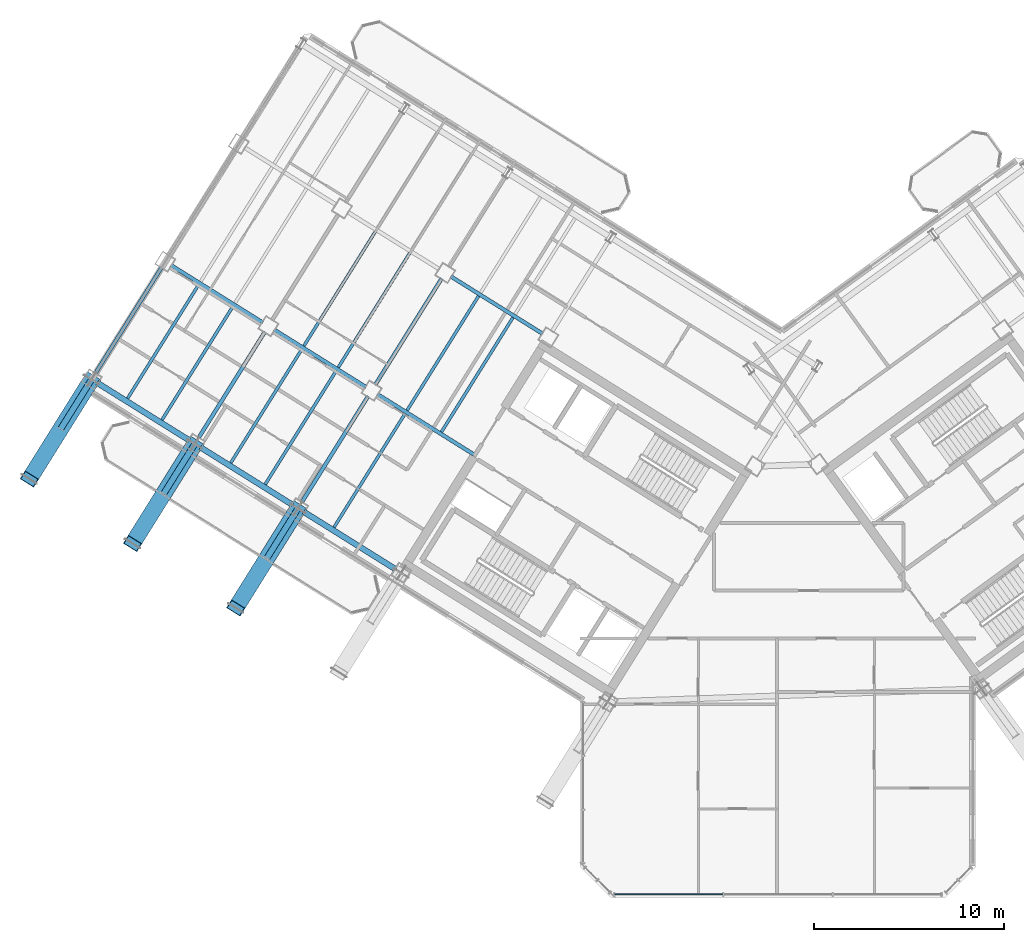
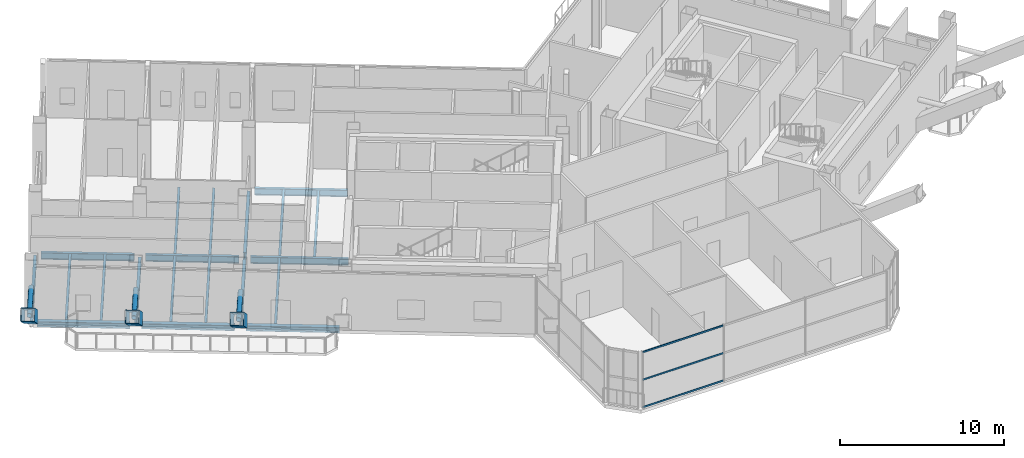
# One storey, part 8 of 34: 20 beams, 9 members, 1 element without a shape of its own.
"""IFC4 building model written with IfcOpenShell, lengths in metres."""

from ifc_helpers import new_model, si_unit, direction, frame, origin, origin_2d, place, context, subcontext, project, spatial, hollow_rectangle, hollow_circle, i_section, extrude, source, transform, mapped, material, material_profile, profile_set, type_object, element, aggregate, save


model = new_model("IFC4")

# Units and contexts
model_context = context("Model", 3, precision=1e-05, world=origin(), true_north=direction((0.0, 1.0)))
body_context = subcontext(model_context, "Body", "Model", "MODEL_VIEW")
ifc_project = project(units=[si_unit("LENGTHUNIT", "METRE"), si_unit("AREAUNIT", "SQUARE_METRE"), si_unit("VOLUMEUNIT", "CUBIC_METRE"), si_unit("PLANEANGLEUNIT", "RADIAN"), si_unit("MASSUNIT", "GRAM", prefix="KILO")], contexts=[model_context])

# Site, building, storey
site_placement = place(None, origin())
site = spatial("IfcSite", under=ifc_project, at=site_placement, CompositionType="ELEMENT")
building_placement = place(site_placement, origin())
building = spatial("IfcBuilding", under=site, at=building_placement, Name="Tlacorven Tower", CompositionType="ELEMENT")
storey_placement = place(building_placement, frame((0.0, 0.0, 229.199951171875)))
storey = spatial("IfcBuildingStorey", under=building, at=storey_placement, Name="L58", CompositionType="ELEMENT", Elevation=229.199951171875)

# Members
ifc_material_1 = material(Name="Steel S460M", Category="steel")
ifc_material_profile_1 = material_profile(ifc_material_1, hollow_rectangle(XDim=0.85009765625, YDim=0.85009765625, WallThickness=0.0400390625, at=origin_2d()), Name="BOX 850X850X40")
ifc_profile_set_1 = profile_set([ifc_material_profile_1], Name="Steel S460M")
member_type_1 = type_object("IfcMemberType", Name="MB-RAK-EXT", PredefinedType="STRUT", material=ifc_profile_set_1)
shared_shape_1 = source(origin(), body_context, "Body", "SweptSolid", [
    extrude(hollow_rectangle(XDim=0.85009765625, YDim=0.85009765625, WallThickness=0.0400390625, at=origin_2d()), origin(), (0.0, 0.0, 1.0), 7.62109375),
])
for number, where, z_axis, x_axis, name in (
    (1, (16.755126953125, 22.24755859375, 0.01171875), (-0.428883381326, -0.686315921835, 0.587392118314), (0.848033882642, -0.529942009933, 0.0), "L58 Block-Shift Raking Transfer Strut W4"),
    (2, (11.32763671875, 25.63916015625, 0.01171875), (-0.428883381326, -0.686315921835, 0.587392118314), (0.848033882642, -0.529942009933, 0.0), "L58 Block-Shift Raking Transfer Strut W5"),
    (3, (5.89990234375, 29.030517578125, 0.01171875), (-0.428857238409, -0.686325351137, 0.587400188501), (0.848051671646, -0.529913542211, 0.0), "L58 Block-Shift Raking Transfer Strut W6"),
):
    element("IfcMember", number, at=place(storey_placement, frame(where, z_axis=z_axis, x_axis=x_axis)), inside=storey, type_object=member_type_1, Name=name, PredefinedType="STRUT", context=body_context, shape_type="MappedRepresentation", body=[
        mapped(shared_shape_1, transform((0.0, 0.0, 0.0), scale=1.0)),
    ])
ifc_material_profile_2 = material_profile(ifc_material_1, hollow_circle(Radius=0.161865234375, WallThickness=0.01611328125, at=origin_2d()), Name="CHS 323.9X16")
ifc_profile_set_2 = profile_set([ifc_material_profile_2], Name="Steel S460M")
member_type_2 = type_object("IfcMemberType", Name="MB-SHF-BRC", PredefinedType="BRACE", material=ifc_profile_set_2)
shared_shape_2 = source(origin(), body_context, "Body", "SweptSolid", [
    extrude(hollow_circle(Radius=0.161865234375, WallThickness=0.01611328125, at=origin_2d()), origin(), (0.0, 0.0, 1.0), 3.06005859375),
])
for number, where, z_axis, x_axis, name in (
    (4, (16.7529296875, 22.244384765625, 2.25), (-0.529934393004, -0.848038642463, 0.0), (0.848038642463, -0.529934393004, 0.0), "L58 Raking Strut Stabilising Web Brace W4"),
    (5, (11.325439453125, 25.6357421875, 2.25), (-0.529934393004, -0.848038642463, 0.0), (0.848038642463, -0.529934393004, 0.0), "L58 Raking Strut Stabilising Web Brace W5"),
    (6, (5.89794921875, 29.02734375, 2.25), (-0.529934393004, -0.848038642463, 0.0), (0.848038642463, -0.529934393004, 0.0), "L58 Raking Strut Stabilising Web Brace W6"),
):
    element("IfcMember", number, at=place(storey_placement, frame(where, z_axis=z_axis, x_axis=x_axis)), inside=storey, type_object=member_type_2, Name=name, PredefinedType="BRACE", context=body_context, shape_type="MappedRepresentation", body=[
        mapped(shared_shape_2, transform((0.0, 0.0, 0.0), scale=1.0)),
    ])

# Beams
ifc_material_2 = material(Name="Steel S355J2", Category="steel")
ifc_material_profile_3 = material_profile(ifc_material_2, i_section(OverallWidth=0.199951171875, OverallDepth=0.5, WebThickness=0.01025390625, FlangeThickness=0.01611328125, at=origin_2d()), Name="IPE 500")
ifc_profile_set_3 = profile_set([ifc_material_profile_3], Name="Steel S355J2")
beam_type_1 = type_object("IfcBeamType", Name="BM-TWR-500", PredefinedType="BEAM", material=ifc_profile_set_3)
shared_shape_3 = source(origin(), body_context, "Body", "SweptSolid", [
    extrude(i_section(OverallWidth=0.199951171875, OverallDepth=0.5, WebThickness=0.01025390625, FlangeThickness=0.01611328125, at=origin_2d()), origin(), (0.0, 0.0, 1.0), 6.010009765625),
])
beam_1_placement = place(storey_placement, frame((26.025634765625, 25.081787109375, -0.5), z_axis=(-0.848043944584, 0.529925908081, 0.0), x_axis=(-0.529925908081, -0.848043944584, 0.0)))
element("IfcBeam", 7, at=beam_1_placement, inside=storey, type_object=beam_type_1, Name="L58 beam BM-L58-WL3-3", PredefinedType="BEAM", context=body_context, shape_type="MappedRepresentation", body=[
    mapped(shared_shape_3, transform((0.0, 0.0, 0.0), scale=1.0)),
])
shared_shape_4 = source(origin(), body_context, "Body", "SweptSolid", [
    extrude(i_section(OverallWidth=0.199951171875, OverallDepth=0.5, WebThickness=0.01025390625, FlangeThickness=0.01611328125, at=origin_2d()), origin(), (0.0, 0.0, 1.0), 5.7001953125),
])
for number, where, z_axis, x_axis, name in (
    (8, (20.335205078125, 28.637451171875, -0.5), (-0.848036800771, 0.529937340199, 0.0), (-0.529937340199, -0.848036800771, 0.0), "L58 beam BM-L58-WL3-4"),
    (9, (14.90771484375, 32.029052734375, -0.5), (-0.848056048787, 0.529906537151, 0.0), (-0.529906537151, -0.848056048787, 0.0), "L58 beam BM-L58-WL3-5"),
):
    element("IfcBeam", number, at=place(storey_placement, frame(where, z_axis=z_axis, x_axis=x_axis)), inside=storey, type_object=beam_type_1, Name=name, PredefinedType="BEAM", context=body_context, shape_type="MappedRepresentation", body=[
        mapped(shared_shape_4, transform((0.0, 0.0, 0.0), scale=1.0)),
    ])
shared_shape_5 = source(origin(), body_context, "Body", "SweptSolid", [
    extrude(i_section(OverallWidth=0.199951171875, OverallDepth=0.5, WebThickness=0.01025390625, FlangeThickness=0.01611328125, at=origin_2d()), origin(), (0.0, 0.0, 1.0), 5.699951171875),
])
beam_2_placement = place(storey_placement, frame((29.631103515625, 31.436767578125, -0.5), z_axis=(-0.848044021115, 0.529925785607, 0.0), x_axis=(-0.529925785607, -0.848044021115, 0.0)))
element("IfcBeam", 10, at=beam_2_placement, inside=storey, type_object=beam_type_1, Name="L58 beam BM-L58-WL2-3", PredefinedType="BEAM", context=body_context, shape_type="MappedRepresentation", body=[
    mapped(shared_shape_5, transform((0.0, 0.0, 0.0), scale=1.0)),
])
shared_shape_6 = source(origin(), body_context, "Body", "SweptSolid", [
    extrude(i_section(OverallWidth=0.199951171875, OverallDepth=0.5, WebThickness=0.01025390625, FlangeThickness=0.01611328125, at=origin_2d()), origin(), (0.0, 0.0, 1.0), 6.599853515625),
])
beam_3_placement = place(storey_placement, frame((24.31494140625, 34.345947265625, -0.5), z_axis=(-0.529942412256, -0.848033631227, 0.0), x_axis=(0.848033631227, -0.529942412256, 0.0)))
element("IfcBeam", 11, at=beam_3_placement, inside=storey, type_object=beam_type_1, Name="L58 beam BM-L58-WT4-2", PredefinedType="BEAM", context=body_context, shape_type="MappedRepresentation", body=[
    mapped(shared_shape_6, transform((0.0, 0.0, 0.0), scale=1.0)),
])
shared_shape_7 = source(origin(), body_context, "Body", "SweptSolid", [
    extrude(i_section(OverallWidth=0.199951171875, OverallDepth=0.5, WebThickness=0.01025390625, FlangeThickness=0.01611328125, at=origin_2d()), origin(), (0.0, 0.0, 1.0), 6.60009765625),
])
for number, where, z_axis, x_axis, name in (
    (12, (20.446533203125, 28.1552734375, -0.5), (-0.529925788294, -0.848044019436, 0.0), (0.848044019436, -0.529925788294, 0.0), "L58 beam BM-L58-WT4-3"),
    (13, (15.01904296875, 31.546875, -0.5), (-0.529925788294, -0.848044019436, 0.0), (0.848044019436, -0.529925788294, 0.0), "L58 beam BM-L58-WT5-3"),
    (14, (9.591552734375, 34.938232421875, -0.5), (-0.529925788294, -0.848044019436, 0.0), (0.848044019436, -0.529925788294, 0.0), "L58 beam BM-L58-WT6-3"),
):
    element("IfcBeam", number, at=place(storey_placement, frame(where, z_axis=z_axis, x_axis=x_axis)), inside=storey, type_object=beam_type_1, Name=name, PredefinedType="BEAM", context=body_context, shape_type="MappedRepresentation", body=[
        mapped(shared_shape_7, transform((0.0, 0.0, 0.0), scale=1.0)),
    ])
ifc_material_profile_4 = material_profile(ifc_material_2, i_section(OverallWidth=0.159912109375, OverallDepth=0.330078125, WebThickness=0.007568359375, FlangeThickness=0.011474609375, at=origin_2d()), Name="IPE 330")
ifc_profile_set_4 = profile_set([ifc_material_profile_4], Name="Steel S355J2")
beam_type_2 = type_object("IfcBeamType", Name="BM-JST-330", PredefinedType="JOIST", material=ifc_profile_set_4)
shared_shape_8 = source(origin(), body_context, "Body", "SweptSolid", [
    extrude(i_section(OverallWidth=0.159912109375, OverallDepth=0.330078125, WebThickness=0.007568359375, FlangeThickness=0.011474609375, at=origin_2d()), origin(), (0.0, 0.0, 1.0), 7.0400390625),
])
for number, where, z_axis, x_axis, name in (
    (15, (18.767333984375, 29.493408203125, -0.4150390625), (-0.529930359501, -0.848041162963, 0.0), (0.848041162963, -0.529930359501, 0.0), "L58 beam BM-L58-WJ4-3-1"),
    (16, (16.9580078125, 30.6240234375, -0.4150390625), (-0.529930359501, -0.848041162963, 0.0), (0.848041162963, -0.529930359501, 0.0), "L58 beam BM-L58-WJ4-3-2"),
    (17, (13.33984375, 32.885009765625, -0.4150390625), (-0.529930359501, -0.848041162963, 0.0), (0.848041162963, -0.529930359501, 0.0), "L58 beam BM-L58-WJ5-3-1"),
):
    element("IfcBeam", number, at=place(storey_placement, frame(where, z_axis=z_axis, x_axis=x_axis)), inside=storey, type_object=beam_type_2, Name=name, PredefinedType="JOIST", context=body_context, shape_type="MappedRepresentation", body=[
        mapped(shared_shape_8, transform((0.0, 0.0, 0.0), scale=1.0)),
    ])
shared_shape_9 = source(origin(), body_context, "Body", "SweptSolid", [
    extrude(i_section(OverallWidth=0.159912109375, OverallDepth=0.330078125, WebThickness=0.007568359375, FlangeThickness=0.011474609375, at=origin_2d()), origin(), (0.0, 0.0, 1.0), 7.090087890625),
])
for number, where, z_axis, x_axis, name in (
    (18, (28.063232421875, 32.292724609375, -0.4150390625), (-0.529912270669, -0.84805246618, 0.0), (0.84805246618, -0.529912270669, 0.0), "L58 beam BM-L58-WJ3-2-1"),
    (19, (26.25390625, 33.42333984375, -0.4150390625), (-0.529912270669, -0.84805246618, 0.0), (0.84805246618, -0.529912270669, 0.0), "L58 beam BM-L58-WJ3-2-2"),
    (20, (22.6357421875, 35.684326171875, -0.4150390625), (-0.529937035031, -0.848036991471, 0.0), (0.848036991471, -0.529937035031, 0.0), "L58 beam BM-L58-WJ4-2-1"),
):
    element("IfcBeam", number, at=place(storey_placement, frame(where, z_axis=z_axis, x_axis=x_axis)), inside=storey, type_object=beam_type_2, Name=name, PredefinedType="JOIST", context=body_context, shape_type="MappedRepresentation", body=[
        mapped(shared_shape_9, transform((0.0, 0.0, 0.0), scale=1.0)),
    ])
shared_shape_10 = source(origin(), body_context, "Body", "SweptSolid", [
    extrude(i_section(OverallWidth=0.159912109375, OverallDepth=0.330078125, WebThickness=0.007568359375, FlangeThickness=0.011474609375, at=origin_2d()), origin(), (0.0, 0.0, 1.0), 7.08984375),
])
beam_4_placement = place(storey_placement, frame((20.826416015625, 36.814697265625, -0.4150390625), z_axis=(-0.529927745663, -0.848042796312, 0.0), x_axis=(0.848042796312, -0.529927745663, 0.0)))
element("IfcBeam", 21, at=beam_4_placement, inside=storey, type_object=beam_type_2, Name="L58 beam BM-L58-WJ4-2-2", PredefinedType="JOIST", context=body_context, shape_type="MappedRepresentation", body=[
    mapped(shared_shape_10, transform((0.0, 0.0, 0.0), scale=1.0)),
])
shared_shape_11 = source(origin(), body_context, "Body", "SweptSolid", [
    extrude(i_section(OverallWidth=0.159912109375, OverallDepth=0.330078125, WebThickness=0.007568359375, FlangeThickness=0.011474609375, at=origin_2d()), origin(), (0.0, 0.0, 1.0), 7.040283203125),
])
for number, where, z_axis, x_axis, name in (
    (22, (22.385498046875, 27.232666015625, -0.4150390625), (-0.529914775015, -0.848050901315, 0.0), (0.848050901315, -0.529914775015, 0.0), "L58 beam BM-L58-WJ3-3-2"),
    (23, (11.530517578125, 34.015625, -0.4150390625), (-0.529914775015, -0.848050901315, 0.0), (0.848050901315, -0.529914775015, 0.0), "L58 beam BM-L58-WJ5-3-2"),
):
    element("IfcBeam", number, at=place(storey_placement, frame(where, z_axis=z_axis, x_axis=x_axis)), inside=storey, type_object=beam_type_2, Name=name, PredefinedType="JOIST", context=body_context, shape_type="MappedRepresentation", body=[
        mapped(shared_shape_11, transform((0.0, 0.0, 0.0), scale=1.0)),
    ])
ifc_material_profile_5 = material_profile(ifc_material_2, i_section(OverallWidth=0.300048828125, OverallDepth=0.389892578125, WebThickness=0.010986328125, FlangeThickness=0.01904296875, at=origin_2d()), Name="HEA 400")
ifc_profile_set_5 = profile_set([ifc_material_profile_5], Name="Steel S355J2")
beam_type_3 = type_object("IfcBeamType", Name="BM-SPN-400", PredefinedType="SPANDREL", material=ifc_profile_set_5)
shared_shape_12 = source(origin(), body_context, "Body", "SweptSolid", [
    extrude(i_section(OverallWidth=0.300048828125, OverallDepth=0.389892578125, WebThickness=0.010986328125, FlangeThickness=0.01904296875, at=origin_2d()), origin(), (0.0, 0.0, 1.0), 5.699951171875),
])
beam_5_placement = place(storey_placement, frame((21.894287109375, 19.055419921875, -0.445068359375), z_axis=(-0.848044021115, 0.529925785607, 0.0), x_axis=(-0.529925785607, -0.848044021115, 0.0)))
element("IfcBeam", 24, at=beam_5_placement, inside=storey, type_object=beam_type_3, Name="L58 beam BM-L58-WL4-3", PredefinedType="SPANDREL", context=body_context, shape_type="MappedRepresentation", body=[
    mapped(shared_shape_12, transform((0.0, 0.0, 0.0), scale=1.0)),
])
shared_shape_13 = source(origin(), body_context, "Body", "SweptSolid", [
    extrude(i_section(OverallWidth=0.300048828125, OverallDepth=0.389892578125, WebThickness=0.010986328125, FlangeThickness=0.01904296875, at=origin_2d()), origin(), (0.0, 0.0, 1.0), 5.7001953125),
])
for number, where, z_axis, x_axis, name in (
    (25, (16.466796875, 22.44677734375, -0.445068359375), (-0.848056048787, 0.529906537151, 0.0), (-0.529906537151, -0.848056048787, 0.0), "L58 beam BM-L58-WL4-4"),
    (26, (11.039306640625, 25.83837890625, -0.445068359375), (-0.848056048787, 0.529906537151, 0.0), (-0.529906537151, -0.848056048787, 0.0), "L58 beam BM-L58-WL4-5"),
):
    element("IfcBeam", number, at=place(storey_placement, frame(where, z_axis=z_axis, x_axis=x_axis)), inside=storey, type_object=beam_type_3, Name=name, PredefinedType="SPANDREL", context=body_context, shape_type="MappedRepresentation", body=[
        mapped(shared_shape_13, transform((0.0, 0.0, 0.0), scale=1.0)),
    ])

# Curtain wall, members
ifc_material_3 = material(Name="Dark solar low-E double glazing in aluminium frame", Category="aluminium")
curtain_wall_type = type_object("IfcCurtainWallType", Name="CW-TWR-HIGH", PredefinedType="USERDEFINED", material=ifc_material_3)
curtain_wall_placement = place(storey_placement, origin())
curtain_wall = element("IfcCurtainWall", 27, at=curtain_wall_placement, inside=storey, type_object=curtain_wall_type, Name="L58 CW-TWR-HIGH Curtain Wall 263", ObjectType="UNITISED CURTAIN WALL", PredefinedType="USERDEFINED")
ifc_material_4 = material(Name="Aluminium 6063-T6 anodised", Category="aluminium")
ifc_material_profile_6 = material_profile(ifc_material_4, hollow_rectangle(XDim=0.054931640625, YDim=0.1201171875, WallThickness=0.00341796875, at=origin_2d()), Name="ALU TRANSOM 55X120")
ifc_profile_set_6 = profile_set([ifc_material_profile_6], Name="Aluminium 6063-T6 anodised")
member_type_3 = type_object("IfcMemberType", Name="CWT-03", PredefinedType="USERDEFINED", material=ifc_profile_set_6)
shared_shape_14 = source(origin(), body_context, "Body", "SweptSolid", [
    extrude(hollow_rectangle(XDim=0.054931640625, YDim=0.1201171875, WallThickness=0.00341796875, at=origin_2d()), origin(), (0.0, 0.0, 1.0), 5.689697265625),
])
member_1_placement = place(storey_placement, frame((39.10400390625, 1.9599609375, 0.06005859375), z_axis=(-1.0, 0.0, 0.0), x_axis=(0.0, -1.0, 0.0)))
member_1 = element("IfcMember", 28, at=member_1_placement, type_object=member_type_3, Name="CW-L58-263 Transom 7", ObjectType="TRANSOM", PredefinedType="USERDEFINED", context=body_context, shape_type="MappedRepresentation", body=[
    mapped(shared_shape_14, transform((0.0, 0.0, 0.0), scale=1.0)),
])
member_2_placement = place(storey_placement, frame((39.10400390625, 1.9599609375, 2.110107421875), z_axis=(-1.0, 0.0, 0.0), x_axis=(0.0, -1.0, 0.0)))
member_2 = element("IfcMember", 29, at=member_2_placement, type_object=member_type_3, Name="CW-L58-263 Transom 8", ObjectType="TRANSOM", PredefinedType="USERDEFINED", context=body_context, shape_type="MappedRepresentation", body=[
    mapped(shared_shape_14, transform((0.0, 0.0, 0.0), scale=1.0)),
])
member_3_placement = place(storey_placement, frame((39.10400390625, 1.9599609375, 4.16015625), z_axis=(-1.0, 0.0, 0.0), x_axis=(0.0, -1.0, 0.0)))
member_3 = element("IfcMember", 30, at=member_3_placement, type_object=member_type_3, Name="CW-L58-263 Transom 9", ObjectType="TRANSOM", PredefinedType="USERDEFINED", context=body_context, shape_type="MappedRepresentation", body=[
    mapped(shared_shape_14, transform((0.0, 0.0, 0.0), scale=1.0)),
])
aggregate(curtain_wall, [member_1, member_2, member_3])

save(model, "model.ifc")
